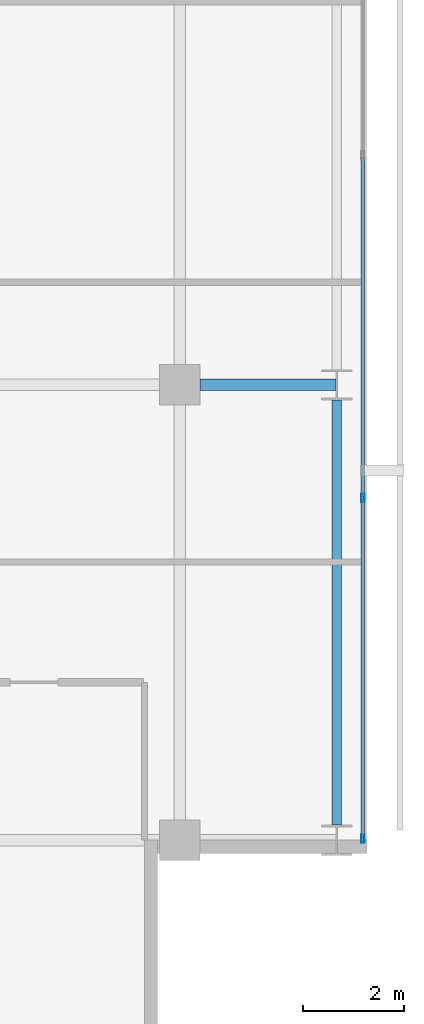
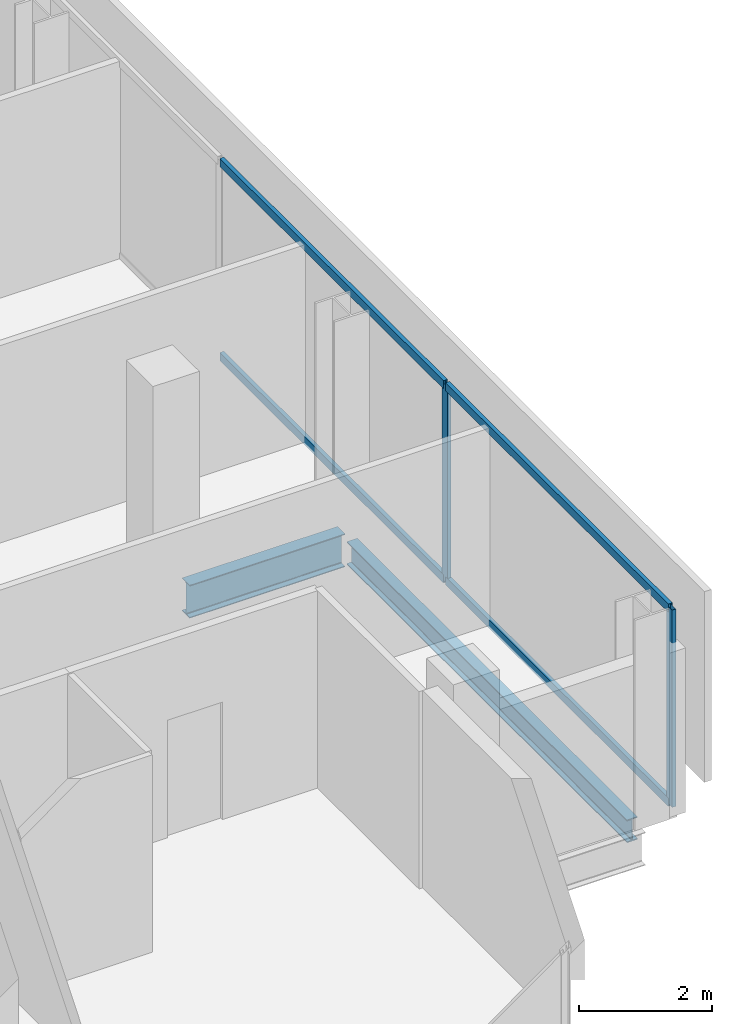
# One storey, part 15 of 33: 6 members, 2 beams, 1 element without a shape of its own.
"""IFC4 building model written with IfcOpenShell, lengths in metres."""

from ifc_helpers import new_model, si_unit, direction, frame, origin, origin_2d, place, context, subcontext, project, spatial, hollow_rectangle, i_section, extrude, material, layer, layer_set, material_profile, profile_set, type_object, element, aggregate, save


model = new_model("IFC4")

# Units and contexts
model_context = context("Model", 3, precision=1e-05, world=origin(), true_north=direction((0.0, 1.0)))
body_context = subcontext(model_context, "Body", "Model", "MODEL_VIEW")
ifc_project = project(units=[si_unit("LENGTHUNIT", "METRE"), si_unit("AREAUNIT", "SQUARE_METRE"), si_unit("VOLUMEUNIT", "CUBIC_METRE"), si_unit("PLANEANGLEUNIT", "RADIAN"), si_unit("MASSUNIT", "GRAM", prefix="KILO")], contexts=[model_context])

# Site, building, storey
site_placement = place(None, origin())
site = spatial("IfcSite", under=ifc_project, at=site_placement, CompositionType="ELEMENT")
building_placement = place(site_placement, origin())
building = spatial("IfcBuilding", under=site, at=building_placement, Name="Maruvema Waterfront Hotel and Observation Tower", CompositionType="ELEMENT")
storey_placement = place(building_placement, frame((0.0, 0.0, 158.199951171875)))
storey = spatial("IfcBuildingStorey", under=building, at=storey_placement, Name="L38", CompositionType="ELEMENT", Elevation=158.199951171875)

# Curtain wall, members
ifc_material_1 = material(Name="Anodised bronze aluminium and solar-control low-E IGU", Category="aluminium")
ifc_layer = layer(ifc_material_1, 0.159912109375, Name="Zone 2 Amber Inner Thermal Curtain Wall System CW-03")
ifc_layer_set = layer_set([ifc_layer], Name="Anodised bronze aluminium and solar-control low-E IGU")
curtain_wall_type = type_object("IfcCurtainWallType", Name="Zone 2 Amber Inner Thermal Curtain Wall System CW-03", PredefinedType="USERDEFINED", material=ifc_layer_set)
curtain_wall_placement = place(storey_placement, origin())
curtain_wall = element("IfcCurtainWall", 1, at=curtain_wall_placement, inside=storey, type_object=curtain_wall_type, Name="L38 Curtain Wall CW-L38-E", ObjectType="UNITISED CURTAIN WALL", PredefinedType="USERDEFINED")
ifc_material_2 = material(Name="Anodised architectural bronze aluminium", Category="aluminium")
ifc_material_profile_1 = material_profile(ifc_material_2, hollow_rectangle(XDim=0.070068359375, YDim=0.14990234375, WallThickness=0.00390625, at=origin_2d()), Name="ALU-T70x150")
ifc_profile_set_1 = profile_set([ifc_material_profile_1], Name="Anodised architectural bronze aluminium")
member_type_1 = type_object("IfcMemberType", Name="Curtain Wall Horizontal Transom ALU-T70x150", PredefinedType="USERDEFINED", material=ifc_profile_set_1)
member_1_placement = place(storey_placement, frame((62.419921875, 9.06005859375, 0.030029296875), z_axis=(0.0, 1.0, 0.0), x_axis=(-1.0, 0.0, 0.0)))
member_1 = element("IfcMember", 2, at=member_1_placement, type_object=member_type_1, Name="CW-03 transom 1.1", ObjectType="TRANSOM", PredefinedType="USERDEFINED", context=body_context, shape_type="SweptSolid", body=[
    extrude(hollow_rectangle(XDim=0.070068359375, YDim=0.14990234375, WallThickness=0.00390625, at=origin_2d()), origin(), (0.0, 0.0, 1.0), 6.676513671875),
])
member_2_placement = place(storey_placement, frame((62.419921875, 9.06005859375, 3.580078125), z_axis=(0.0, 1.0, 0.0), x_axis=(-1.0, 0.0, 0.0)))
member_2 = element("IfcMember", 3, at=member_2_placement, type_object=member_type_1, Name="CW-03 transom 1.2", ObjectType="TRANSOM", PredefinedType="USERDEFINED", context=body_context, shape_type="SweptSolid", body=[
    extrude(hollow_rectangle(XDim=0.070068359375, YDim=0.14990234375, WallThickness=0.00390625, at=origin_2d()), origin(), (0.0, 0.0, 1.0), 6.676513671875),
])
member_3_placement = place(storey_placement, frame((62.419921875, 15.796630859375, 0.030029296875), z_axis=(0.0, 1.0, 0.0), x_axis=(-1.0, 0.0, 0.0)))
member_3 = element("IfcMember", 4, at=member_3_placement, type_object=member_type_1, Name="CW-03 transom 2.1", ObjectType="TRANSOM", PredefinedType="USERDEFINED", context=body_context, shape_type="SweptSolid", body=[
    extrude(hollow_rectangle(XDim=0.070068359375, YDim=0.14990234375, WallThickness=0.00390625, at=origin_2d()), origin(), (0.0, 0.0, 1.0), 6.706787109375),
])
member_4_placement = place(storey_placement, frame((62.419921875, 15.796630859375, 3.580078125), z_axis=(0.0, 1.0, 0.0), x_axis=(-1.0, 0.0, 0.0)))
member_4 = element("IfcMember", 5, at=member_4_placement, type_object=member_type_1, Name="CW-03 transom 2.2", ObjectType="TRANSOM", PredefinedType="USERDEFINED", context=body_context, shape_type="SweptSolid", body=[
    extrude(hollow_rectangle(XDim=0.070068359375, YDim=0.14990234375, WallThickness=0.00390625, at=origin_2d()), origin(), (0.0, 0.0, 1.0), 6.706787109375),
])
ifc_material_3 = material(Name="Anodised architectural bronze aluminium", Category="aluminium")
ifc_material_profile_2 = material_profile(ifc_material_3, hollow_rectangle(XDim=0.06494140625, YDim=0.1650390625, WallThickness=0.00390625, at=origin_2d()), Name="ALU-M65x165")
ifc_profile_set_2 = profile_set([ifc_material_profile_2], Name="Anodised architectural bronze aluminium")
member_type_2 = type_object("IfcMemberType", Name="Curtain Wall Primary Mullion ALU-M65x165", PredefinedType="MULLION", material=ifc_profile_set_2)
member_5_placement = place(storey_placement, frame((62.419921875, 9.030029296875, 0.0), z_axis=(0.0, 0.0, 1.0), x_axis=(-1.0, 0.0, 0.0)))
member_5 = element("IfcMember", 6, at=member_5_placement, type_object=member_type_2, Name="CW-03 mullion 1", PredefinedType="MULLION", context=body_context, shape_type="SweptSolid", body=[
    extrude(hollow_rectangle(XDim=0.06494140625, YDim=0.1650390625, WallThickness=0.00390625, at=origin_2d()), origin(), (0.0, 0.0, 1.0), 3.610107421875),
])
member_6_placement = place(storey_placement, frame((62.419921875, 15.7666015625, 0.0), z_axis=(0.0, 0.0, 1.0), x_axis=(-1.0, 0.0, 0.0)))
member_6 = element("IfcMember", 7, at=member_6_placement, type_object=member_type_2, Name="CW-03 mullion 2", PredefinedType="MULLION", context=body_context, shape_type="SweptSolid", body=[
    extrude(hollow_rectangle(XDim=0.06494140625, YDim=0.1650390625, WallThickness=0.00390625, at=origin_2d()), origin(), (0.0, 0.0, 1.0), 3.610107421875),
])
aggregate(curtain_wall, [member_5, member_6, member_1, member_2, member_3, member_4])

# Beams
ifc_material_4 = material(Name="Steel ASTM A572 Grade 50", Category="steel")
ifc_material_profile_3 = material_profile(ifc_material_4, i_section(OverallWidth=0.180908203125, OverallDepth=0.4169921875, WebThickness=0.010986328125, FlangeThickness=0.018310546875, FilletRadius=0.014892578125, at=origin_2d()), Name="W410x85.0")
ifc_profile_set_3 = profile_set([ifc_material_profile_3], Name="Steel ASTM A572 Grade 50")
beam_type_1 = type_object("IfcBeamType", Name="Perimeter Spandrel Beam W410x85.0", PredefinedType="SPANDREL", material=ifc_profile_set_3)
beam_1_placement = place(storey_placement, frame((61.89990234375, 9.300048828125, -0.448486328125), z_axis=(0.0, 1.0, 0.0), x_axis=(-1.0, 0.0, 0.0)))
element("IfcBeam", 8, at=beam_1_placement, inside=storey, type_object=beam_type_1, Name="L38 Floor Girder NS-29", PredefinedType="SPANDREL", context=body_context, shape_type="SweptSolid", body=[
    extrude(i_section(OverallWidth=0.180908203125, OverallDepth=0.4169921875, WebThickness=0.010986328125, FlangeThickness=0.018310546875, FilletRadius=0.014892578125, at=origin_2d()), origin(), (0.0, 0.0, 1.0), 8.39990234375),
])
ifc_material_5 = material(Name="Steel ASTM A572 Grade 50", Category="steel")
ifc_material_profile_4 = material_profile(ifc_material_5, i_section(OverallWidth=0.22802734375, OverallDepth=0.60302734375, WebThickness=0.010498046875, FlangeThickness=0.014892578125, FilletRadius=0.01806640625, at=origin_2d()), Name="W610x101.0")
ifc_profile_set_4 = profile_set([ifc_material_profile_4], Name="Steel ASTM A572 Grade 50")
beam_type_2 = type_object("IfcBeamType", Name="Primary Floor Girder W610x101.0", PredefinedType="BEAM", material=ifc_profile_set_4)
beam_2_placement = place(storey_placement, frame((59.199951171875, 18.0, -0.54150390625), z_axis=(1.0, 0.0, 0.0), x_axis=(0.0, 1.0, 0.0)))
element("IfcBeam", 9, at=beam_2_placement, inside=storey, type_object=beam_type_2, Name="L38 Floor Girder EW-17", PredefinedType="BEAM", context=body_context, shape_type="SweptSolid", body=[
    extrude(i_section(OverallWidth=0.22802734375, OverallDepth=0.60302734375, WebThickness=0.010498046875, FlangeThickness=0.014892578125, FilletRadius=0.01806640625, at=origin_2d()), origin(), (0.0, 0.0, 1.0), 2.6875),
])

save(model, "model.ifc")
